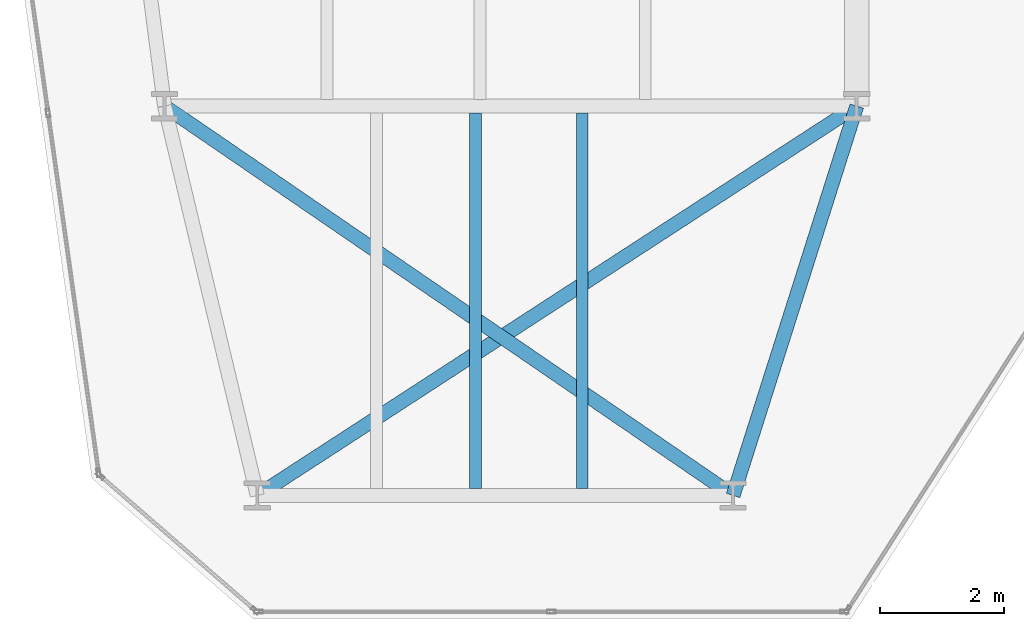
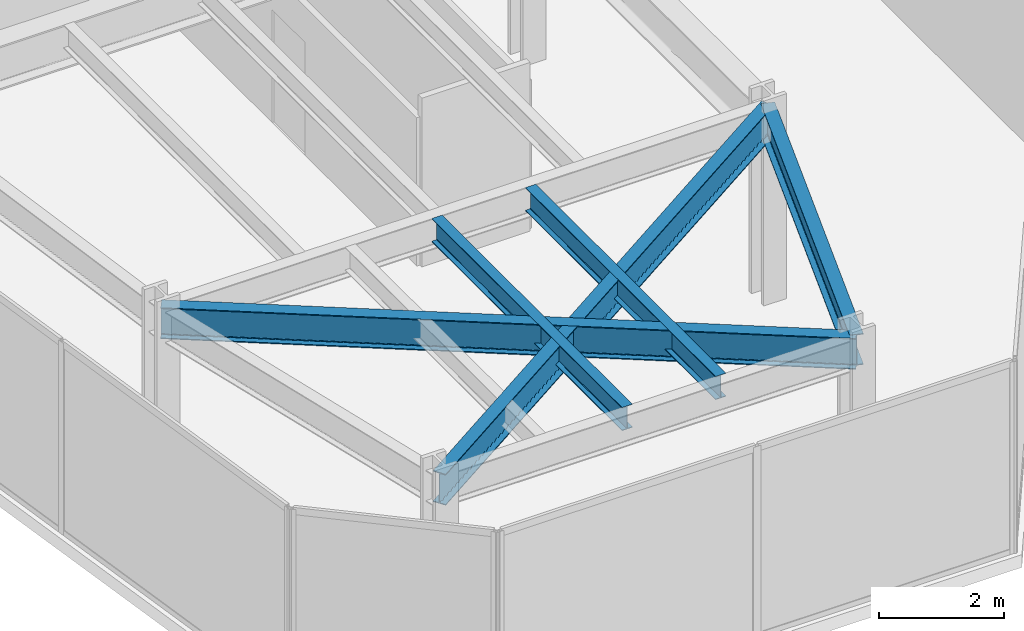
# One storey, part 4 of 26: 5 beams.
"""IFC4 building model written with IfcOpenShell, lengths in metres."""

from ifc_helpers import new_model, si_unit, direction, frame, origin, origin_2d, place, context, subcontext, project, spatial, i_section, extrude, material, material_profile, profile_set, type_object, element, save


model = new_model("IFC4")

# Units and contexts
model_context = context("Model", 3, precision=1e-05, world=origin(), true_north=direction((0.0, 1.0)))
body_context = subcontext(model_context, "Body", "Model", "MODEL_VIEW")
ifc_project = project(units=[si_unit("LENGTHUNIT", "METRE"), si_unit("AREAUNIT", "SQUARE_METRE"), si_unit("VOLUMEUNIT", "CUBIC_METRE"), si_unit("PLANEANGLEUNIT", "RADIAN"), si_unit("MASSUNIT", "GRAM", prefix="KILO")], contexts=[model_context])

# Site, building, storey
site_placement = place(None, origin())
site = spatial("IfcSite", under=ifc_project, at=site_placement, CompositionType="ELEMENT")
building_placement = place(site_placement, origin())
building = spatial("IfcBuilding", under=site, at=building_placement, Name="Kravanh Interchange Tower", CompositionType="ELEMENT")
storey_placement = place(building_placement, frame((0.0, 0.0, 116.0)))
storey = spatial("IfcBuildingStorey", under=building, at=storey_placement, Name="L27", CompositionType="ELEMENT", Elevation=116.0)

# Beams
ifc_material_1 = material(Name="Structural Steel S355", Category="steel")
ifc_material_profile_1 = material_profile(ifc_material_1, i_section(OverallWidth=0.18994140625, OverallDepth=0.45703125, WebThickness=0.009033203125, FlangeThickness=0.014404296875, FilletRadius=0.01806640625, at=origin_2d()), Name="W18X50")
ifc_profile_set_1 = profile_set([ifc_material_profile_1], Name="Structural Steel S355")
beam_type_1 = type_object("IfcBeamType", Name="Floor Joist W18X50 Structural Steel S355", PredefinedType="JOIST", material=ifc_profile_set_1)
for number, where, z_axis, x_axis, name in (
    (1, (21.030029296875, 8.30908203125, 3.521484375), (0.0, 1.0, 0.0), (-1.0, 0.0, 0.0), "L27 Secondary Floor Joist 2"),
    (2, (22.758056640625, 8.30908203125, 3.521484375), (0.0, 1.0, 0.0), (-1.0, 0.0, 0.0), "L27 Secondary Floor Joist 3"),
):
    element("IfcBeam", number, at=place(storey_placement, frame(where, z_axis=z_axis, x_axis=x_axis)), inside=storey, type_object=beam_type_1, Name=name, PredefinedType="JOIST", context=body_context, shape_type="SweptSolid", body=[
        extrude(i_section(OverallWidth=0.18994140625, OverallDepth=0.45703125, WebThickness=0.009033203125, FlangeThickness=0.014404296875, FilletRadius=0.01806640625, at=origin_2d()), origin(), (0.0, 0.0, 1.0), 6.08203125),
    ])
ifc_material_2 = material(Name="Structural Steel S355", Category="steel")
ifc_material_profile_2 = material_profile(ifc_material_2, i_section(OverallWidth=0.22802734375, OverallDepth=0.60791015625, WebThickness=0.01123046875, FlangeThickness=0.017333984375, FilletRadius=0.02197265625, at=origin_2d()), Name="W24X76")
ifc_profile_set_2 = profile_set([ifc_material_profile_2], Name="Structural Steel S355")
beam_type_2 = type_object("IfcBeamType", Name="Floor Spandrel W24X76 Structural Steel S355", PredefinedType="SPANDREL", material=ifc_profile_set_2)
beam_1_placement = place(storey_placement, frame((17.5, 8.199951171875, 3.446044921875), z_axis=(0.838637911458, 0.544689318295, 0.0), x_axis=(-0.544689318295, 0.838637911458, 0.0)))
element("IfcBeam", 3, at=beam_1_placement, inside=storey, type_object=beam_type_2, Name="L27 Perimeter Spandrel 36", PredefinedType="SPANDREL", context=body_context, shape_type="SweptSolid", body=[
    extrude(i_section(OverallWidth=0.22802734375, OverallDepth=0.60791015625, WebThickness=0.01123046875, FlangeThickness=0.017333984375, FilletRadius=0.02197265625, at=origin_2d()), origin(), (0.0, 0.0, 1.0), 11.56640625),
])
beam_2_placement = place(storey_placement, frame((25.199951171875, 8.199951171875, 3.446044921875), z_axis=(0.30257700201, 0.953124943465, 0.0), x_axis=(-0.953124943465, 0.30257700201, 0.0)))
element("IfcBeam", 4, at=beam_2_placement, inside=storey, type_object=beam_type_2, Name="L27 Perimeter Spandrel 76", PredefinedType="SPANDREL", context=body_context, shape_type="SweptSolid", body=[
    extrude(i_section(OverallWidth=0.22802734375, OverallDepth=0.60791015625, WebThickness=0.01123046875, FlangeThickness=0.017333984375, FilletRadius=0.02197265625, at=origin_2d()), origin(), (0.0, 0.0, 1.0), 6.60986328125),
])
beam_3_placement = place(storey_placement, frame((25.199951171875, 8.199951171875, 3.446044921875), z_axis=(-0.825083781107, 0.565010401811, 0.0), x_axis=(-0.565010401811, -0.825083781107, 0.0)))
element("IfcBeam", 5, at=beam_3_placement, inside=storey, type_object=beam_type_2, Name="L27 Perimeter Spandrel 77", PredefinedType="SPANDREL", context=body_context, shape_type="SweptSolid", body=[
    extrude(i_section(OverallWidth=0.22802734375, OverallDepth=0.60791015625, WebThickness=0.01123046875, FlangeThickness=0.017333984375, FilletRadius=0.02197265625, at=origin_2d()), origin(), (0.0, 0.0, 1.0), 11.150390625),
])

save(model, "model.ifc")
